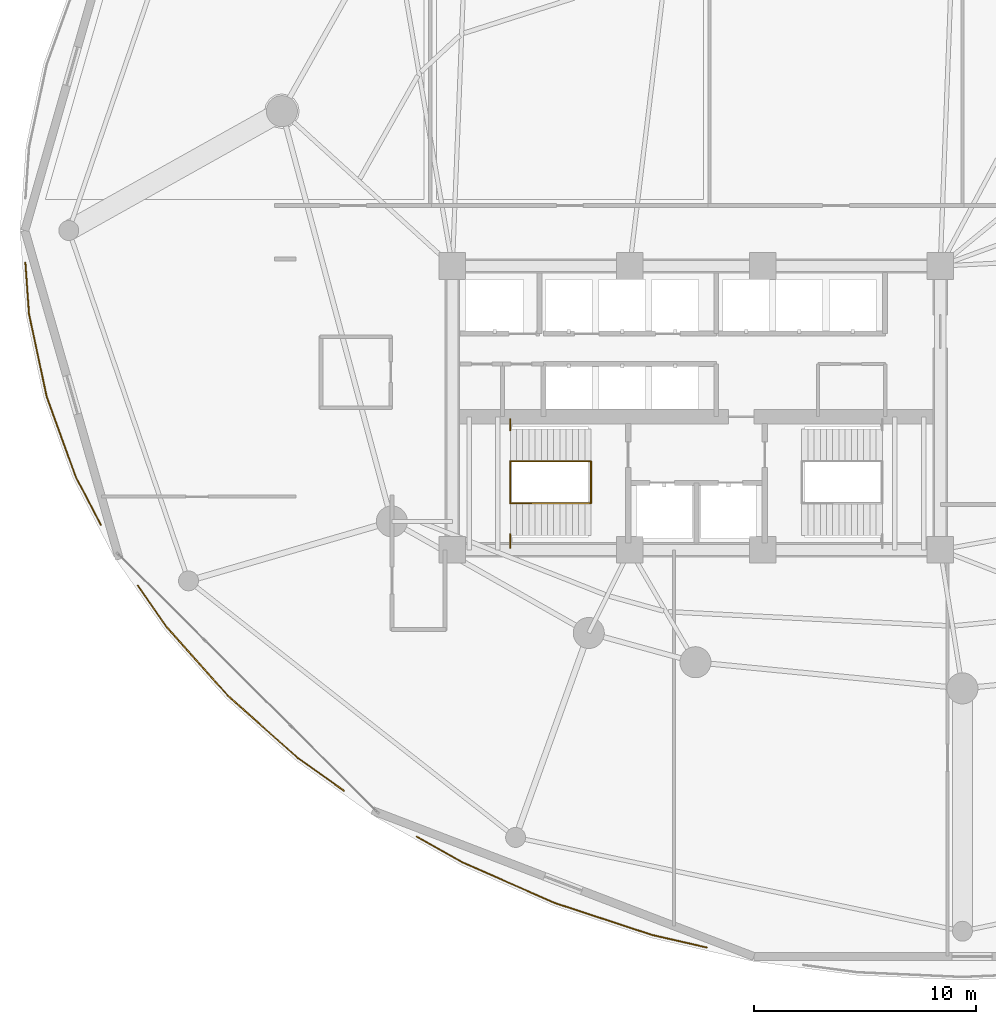
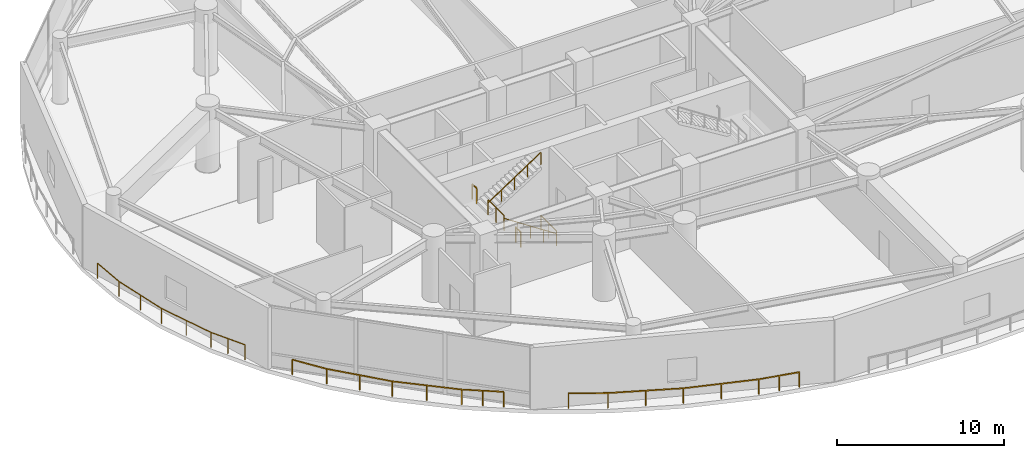
# One storey, part 34 of 36: 9 railings.
"""IFC4 building model written with IfcOpenShell, lengths in metres."""

from ifc_helpers import new_model, si_unit, direction, frame, origin, origin_2d, place, context, subcontext, project, spatial, rectangle, extrude, material, type_object, element, save


model = new_model("IFC4")

# Units and contexts
model_context = context("Model", 3, precision=1e-05, world=origin(), true_north=direction((0.0, 1.0)))
body_context = subcontext(model_context, "Body", "Model", "MODEL_VIEW")
ifc_project = project(units=[si_unit("LENGTHUNIT", "METRE"), si_unit("AREAUNIT", "SQUARE_METRE"), si_unit("VOLUMEUNIT", "CUBIC_METRE"), si_unit("PLANEANGLEUNIT", "RADIAN"), si_unit("MASSUNIT", "GRAM", prefix="KILO")], contexts=[model_context])

# Site, building, storey
site_placement = place(None, origin())
site = spatial("IfcSite", under=ifc_project, at=site_placement, CompositionType="ELEMENT")
building_placement = place(site_placement, origin())
building = spatial("IfcBuilding", under=site, at=building_placement, Name="Kazevale Care Tower and Concert Hall", CompositionType="ELEMENT")
storey_placement = place(building_placement, frame((0.0, 0.0, 14.39990234375)))
storey = spatial("IfcBuildingStorey", under=building, at=storey_placement, Name="L03", CompositionType="ELEMENT", Elevation=14.39990234375)

# Railings
ifc_material_1 = material(Name="Anodised Bronze Aluminium and Laminated Glass", Category="aluminium")
railing_type_1 = type_object("IfcRailingType", Name="Balcony and Terrace Balustrade 1120", PredefinedType="BALUSTRADE", material=ifc_material_1)
railing_1_placement = place(storey_placement, frame((6.135986328125, 24.738037109375, 0.0)))
element("IfcRailing", 1, at=railing_1_placement, inside=storey, type_object=railing_type_1, Name="rail:L03:perim:1", PredefinedType="BALUSTRADE", context=body_context, shape_type="SweptSolid", body=[
    extrude(rectangle(XDim=0.048095703125, YDim=0.048095703125, at=origin_2d()), frame((0.0, 0.0, 1.09619140625), z_axis=(-0.462140207553, 0.88680687219, 0.0), x_axis=(-0.88680687219, -0.462140207553, 0.0)), (0.0, 0.0, 1.0), 2.43017578125),
    extrude(rectangle(XDim=0.048095703125, YDim=0.048095703125, at=origin_2d()), frame((-1.123046875, 2.155029296875, 1.09619140625), z_axis=(-0.340410185576, 0.940277036599, 0.0), x_axis=(-0.940277036599, -0.340410185576, 0.0)), (0.0, 0.0, 1.0), 3.854248046875),
    extrude(rectangle(XDim=0.048095703125, YDim=0.048095703125, at=origin_2d()), frame((-2.43505859375, 5.779052734375, 1.09619140625), z_axis=(-0.20907738305, 0.977899099037, 0.0), x_axis=(-0.977899099037, -0.20907738305, 0.0)), (0.0, 0.0, 1.0), 3.802001953125),
    extrude(rectangle(XDim=0.048095703125, YDim=0.048095703125, at=origin_2d()), frame((-3.22998046875, 9.4970703125, 1.09619140625), z_axis=(-0.070459951237, 0.997514609052, 0.0), x_axis=(-0.997514609052, -0.070459951237, 0.0)), (0.0, 0.0, 1.0), 2.314697265625),
    extrude(rectangle(XDim=0.0419921875, YDim=0.0419921875, at=origin_2d()), origin(), (0.0, 0.0, 1.0), 1.072021484375),
    extrude(rectangle(XDim=0.0419921875, YDim=0.0419921875, at=origin_2d()), frame((-0.5615234375, 1.07763671875, 0.0)), (0.0, 0.0, 1.0), 1.072021484375),
    extrude(rectangle(XDim=0.0419921875, YDim=0.0419921875, at=origin_2d()), frame((-1.123046875, 2.155029296875, 0.0)), (0.0, 0.0, 1.0), 1.072021484375),
    extrude(rectangle(XDim=0.0419921875, YDim=0.0419921875, at=origin_2d()), frame((-1.779052734375, 3.967041015625, 0.0)), (0.0, 0.0, 1.0), 1.072021484375),
    extrude(rectangle(XDim=0.0419921875, YDim=0.0419921875, at=origin_2d()), frame((-2.43505859375, 5.779052734375, 0.0)), (0.0, 0.0, 1.0), 1.072021484375),
    extrude(rectangle(XDim=0.0419921875, YDim=0.0419921875, at=origin_2d()), frame((-2.83251953125, 7.63818359375, 0.0)), (0.0, 0.0, 1.0), 1.072021484375),
    extrude(rectangle(XDim=0.0419921875, YDim=0.0419921875, at=origin_2d()), frame((-3.22998046875, 9.4970703125, 0.0)), (0.0, 0.0, 1.0), 1.072021484375),
    extrude(rectangle(XDim=0.0419921875, YDim=0.0419921875, at=origin_2d()), frame((-3.39306640625, 11.805908203125, 0.0)), (0.0, 0.0, 1.0), 1.072021484375),
])
railing_2_placement = place(storey_placement, frame((17.10107421875, 12.740966796875, 0.0)))
element("IfcRailing", 2, at=railing_2_placement, inside=storey, type_object=railing_type_1, Name="rail:L03:perim:4", PredefinedType="BALUSTRADE", context=body_context, shape_type="SweptSolid", body=[
    extrude(rectangle(XDim=0.048095703125, YDim=0.048095703125, at=origin_2d()), frame((0.0, 0.0, 1.09619140625), z_axis=(-0.815188786096, 0.579195340989, 0.0), x_axis=(-0.579195340989, -0.815188786096, 0.0)), (0.0, 0.0, 1.0), 2.53466796875),
    extrude(rectangle(XDim=0.048095703125, YDim=0.048095703125, at=origin_2d()), frame((-2.066162109375, 1.468017578125, 1.09619140625), z_axis=(-0.746983011463, 0.664843124794, 0.0), x_axis=(-0.664843124794, -0.746983011463, 0.0)), (0.0, 0.0, 1.0), 4.2353515625),
    extrude(rectangle(XDim=0.048095703125, YDim=0.048095703125, at=origin_2d()), frame((-5.22998046875, 4.283935546875, 1.09619140625), z_axis=(-0.665728837253, 0.746193751816, 0.0), x_axis=(-0.746193751816, -0.665728837253, 0.0)), (0.0, 0.0, 1.0), 4.12646484375),
    extrude(rectangle(XDim=0.048095703125, YDim=0.048095703125, at=origin_2d()), frame((-7.97705078125, 7.363037109375, 1.09619140625), z_axis=(-0.570672394322, 0.821177823835, 0.0), x_axis=(-0.821177823835, -0.570672394322, 0.0)), (0.0, 0.0, 1.0), 2.299072265625),
    extrude(rectangle(XDim=0.0419921875, YDim=0.0419921875, at=origin_2d()), origin(), (0.0, 0.0, 1.0), 1.072021484375),
    extrude(rectangle(XDim=0.0419921875, YDim=0.0419921875, at=origin_2d()), frame((-1.033203125, 0.73388671875, 0.0)), (0.0, 0.0, 1.0), 1.072021484375),
    extrude(rectangle(XDim=0.0419921875, YDim=0.0419921875, at=origin_2d()), frame((-2.066162109375, 1.468017578125, 0.0)), (0.0, 0.0, 1.0), 1.072021484375),
    extrude(rectangle(XDim=0.0419921875, YDim=0.0419921875, at=origin_2d()), frame((-3.64794921875, 2.8759765625, 0.0)), (0.0, 0.0, 1.0), 1.072021484375),
    extrude(rectangle(XDim=0.0419921875, YDim=0.0419921875, at=origin_2d()), frame((-5.22998046875, 4.283935546875, 0.0)), (0.0, 0.0, 1.0), 1.072021484375),
    extrude(rectangle(XDim=0.0419921875, YDim=0.0419921875, at=origin_2d()), frame((-6.603515625, 5.823486328125, 0.0)), (0.0, 0.0, 1.0), 1.072021484375),
    extrude(rectangle(XDim=0.0419921875, YDim=0.0419921875, at=origin_2d()), frame((-7.97705078125, 7.363037109375, 0.0)), (0.0, 0.0, 1.0), 1.072021484375),
    extrude(rectangle(XDim=0.0419921875, YDim=0.0419921875, at=origin_2d()), frame((-9.2890625, 9.2509765625, 0.0)), (0.0, 0.0, 1.0), 1.072021484375),
])
railing_3_placement = place(storey_placement, frame((33.47509765625, 5.6650390625, 0.0)))
element("IfcRailing", 3, at=railing_3_placement, inside=storey, type_object=railing_type_1, Name="rail:L03:perim:5", PredefinedType="BALUSTRADE", context=body_context, shape_type="SweptSolid", body=[
    extrude(rectangle(XDim=0.048095703125, YDim=0.048095703125, at=origin_2d()), frame((0.0, 0.0, 1.09619140625), z_axis=(-0.974740171393, 0.223341886518, 0.0), x_axis=(-0.223341886518, -0.974740171393, 0.0)), (0.0, 0.0, 1.0), 2.538330078125),
    extrude(rectangle(XDim=0.048095703125, YDim=0.048095703125, at=origin_2d()), frame((-2.47412109375, 0.56689453125, 1.09619140625), z_axis=(-0.949817857606, 0.312803512405, 0.0), x_axis=(-0.312803512405, -0.949817857606, 0.0)), (0.0, 0.0, 1.0), 4.622802734375),
    extrude(rectangle(XDim=0.048095703125, YDim=0.048095703125, at=origin_2d()), frame((-6.864990234375, 2.012939453125, 1.09619140625), z_axis=(-0.915470269762, 0.402385617514, 0.0), x_axis=(-0.402385617514, -0.915470269762, 0.0)), (0.0, 0.0, 1.0), 4.543212890625),
    extrude(rectangle(XDim=0.048095703125, YDim=0.048095703125, at=origin_2d()), frame((-11.024169921875, 3.841064453125, 1.09619140625), z_axis=(-0.870864175029, 0.491523741696, 0.0), x_axis=(-0.491523741696, -0.870864175029, 0.0)), (0.0, 0.0, 1.0), 2.36767578125),
    extrude(rectangle(XDim=0.0419921875, YDim=0.0419921875, at=origin_2d()), origin(), (0.0, 0.0, 1.0), 1.072021484375),
    extrude(rectangle(XDim=0.0419921875, YDim=0.0419921875, at=origin_2d()), frame((-1.237060546875, 0.283447265625, 0.0)), (0.0, 0.0, 1.0), 1.072021484375),
    extrude(rectangle(XDim=0.0419921875, YDim=0.0419921875, at=origin_2d()), frame((-2.47412109375, 0.56689453125, 0.0)), (0.0, 0.0, 1.0), 1.072021484375),
    extrude(rectangle(XDim=0.0419921875, YDim=0.0419921875, at=origin_2d()), frame((-4.66943359375, 1.2900390625, 0.0)), (0.0, 0.0, 1.0), 1.072021484375),
    extrude(rectangle(XDim=0.0419921875, YDim=0.0419921875, at=origin_2d()), frame((-6.864990234375, 2.012939453125, 0.0)), (0.0, 0.0, 1.0), 1.072021484375),
    extrude(rectangle(XDim=0.0419921875, YDim=0.0419921875, at=origin_2d()), frame((-8.944580078125, 2.927001953125, 0.0)), (0.0, 0.0, 1.0), 1.072021484375),
    extrude(rectangle(XDim=0.0419921875, YDim=0.0419921875, at=origin_2d()), frame((-11.024169921875, 3.841064453125, 0.0)), (0.0, 0.0, 1.0), 1.072021484375),
    extrude(rectangle(XDim=0.0419921875, YDim=0.0419921875, at=origin_2d()), frame((-13.086181640625, 5.0048828125, 0.0)), (0.0, 0.0, 1.0), 1.072021484375),
])
ifc_material_2 = material(Name="Stainless Steel 316", Category="steel")
railing_type_2 = type_object("IfcRailingType", Name="Stair Pitch Handrail 920", PredefinedType="HANDRAIL", material=ifc_material_2)
railing_4_placement = place(storey_placement, frame((28.25, 25.699951171875, 0.0)))
element("IfcRailing", 4, at=railing_4_placement, inside=storey, type_object=railing_type_2, Name="stair:L03:ST1:hr1", PredefinedType="HANDRAIL", context=body_context, shape_type="SweptSolid", body=[
    extrude(rectangle(XDim=0.048095703125, YDim=0.048095703125, at=origin_2d()), frame((0.0, 0.0, 0.89599609375), z_axis=(-0.834839479206, 0.0, 0.550493454965), x_axis=(0.0, -1.0, 0.0)), (0.0, 0.0, 1.0), 4.360107421875),
    extrude(rectangle(XDim=0.0419921875, YDim=0.0419921875, at=origin_2d()), origin(), (0.0, 0.0, 1.0), 0.871826171875),
    extrude(rectangle(XDim=0.0419921875, YDim=0.0419921875, at=origin_2d()), frame((-0.909912109375, 0.0, 0.60009765625)), (0.0, 0.0, 1.0), 0.871826171875),
    extrude(rectangle(XDim=0.0419921875, YDim=0.0419921875, at=origin_2d()), frame((-1.81982421875, 0.0, 1.2001953125)), (0.0, 0.0, 1.0), 0.871826171875),
    extrude(rectangle(XDim=0.0419921875, YDim=0.0419921875, at=origin_2d()), frame((-2.72998046875, 0.0, 1.800048828125)), (0.0, 0.0, 1.0), 0.871826171875),
    extrude(rectangle(XDim=0.0419921875, YDim=0.0419921875, at=origin_2d()), frame((-3.639892578125, 0.0, 2.400146484375)), (0.0, 0.0, 1.0), 0.871826171875),
])
railing_5_placement = place(storey_placement, frame((24.610107421875, 27.60009765625, 2.400146484375)))
element("IfcRailing", 5, at=railing_5_placement, inside=storey, type_object=railing_type_2, Name="stair:L03:ST1:hr2", PredefinedType="HANDRAIL", context=body_context, shape_type="SweptSolid", body=[
    extrude(rectangle(XDim=0.048095703125, YDim=0.048095703125, at=origin_2d()), frame((0.0, 0.0, 0.89599609375), z_axis=(0.834865213223, 0.0, 0.550454426587), x_axis=(0.0, 1.0, 0.0)), (0.0, 0.0, 1.0), 4.35986328125),
    extrude(rectangle(XDim=0.0419921875, YDim=0.0419921875, at=origin_2d()), origin(), (0.0, 0.0, 1.0), 0.871826171875),
    extrude(rectangle(XDim=0.0419921875, YDim=0.0419921875, at=origin_2d()), frame((0.909912109375, 0.0, 0.60009765625)), (0.0, 0.0, 1.0), 0.871826171875),
    extrude(rectangle(XDim=0.0419921875, YDim=0.0419921875, at=origin_2d()), frame((1.81982421875, 0.0, 1.199951171875)), (0.0, 0.0, 1.0), 0.871826171875),
    extrude(rectangle(XDim=0.0419921875, YDim=0.0419921875, at=origin_2d()), frame((2.72998046875, 0.0, 1.7998046875)), (0.0, 0.0, 1.0), 0.871826171875),
    extrude(rectangle(XDim=0.0419921875, YDim=0.0419921875, at=origin_2d()), frame((3.639892578125, 0.0, 2.39990234375)), (0.0, 0.0, 1.0), 0.871826171875),
])
railing_type_3 = type_object("IfcRailingType", Name="Stair Well Guard Balustrade 1120", PredefinedType="BALUSTRADE", material=ifc_material_2)
railing_6_placement = place(storey_placement, frame((24.610107421875, 23.699951171875, 2.400146484375)))
element("IfcRailing", 6, at=railing_6_placement, inside=storey, type_object=railing_type_3, Name="stair:L03:ST1:grd_side1", PredefinedType="BALUSTRADE", context=body_context, shape_type="SweptSolid", body=[
    extrude(rectangle(XDim=0.048095703125, YDim=0.048095703125, at=origin_2d()), frame((0.0, 0.0, 1.09619140625), z_axis=(0.0, 1.0, 0.0), x_axis=(-1.0, 0.0, 0.0)), (0.0, 0.0, 1.0), 0.610107421875),
    extrude(rectangle(XDim=0.0419921875, YDim=0.0419921875, at=origin_2d()), origin(), (0.0, 0.0, 1.0), 1.072021484375),
    extrude(rectangle(XDim=0.0419921875, YDim=0.0419921875, at=origin_2d()), frame((0.0, 0.610107421875, 0.0)), (0.0, 0.0, 1.0), 1.072021484375),
])
railing_7_placement = place(storey_placement, frame((24.610107421875, 28.989990234375, 2.400146484375)))
element("IfcRailing", 7, at=railing_7_placement, inside=storey, type_object=railing_type_3, Name="stair:L03:ST1:grd_side2", PredefinedType="BALUSTRADE", context=body_context, shape_type="SweptSolid", body=[
    extrude(rectangle(XDim=0.048095703125, YDim=0.048095703125, at=origin_2d()), frame((0.0, 0.0, 1.09619140625), z_axis=(0.0, 1.0, 0.0), x_axis=(-1.0, 0.0, 0.0)), (0.0, 0.0, 1.0), 0.510009765625),
    extrude(rectangle(XDim=0.0419921875, YDim=0.0419921875, at=origin_2d()), origin(), (0.0, 0.0, 1.0), 1.072021484375),
    extrude(rectangle(XDim=0.0419921875, YDim=0.0419921875, at=origin_2d()), frame((0.0, 0.510009765625, 0.0)), (0.0, 0.0, 1.0), 1.072021484375),
])
for number, where, name in (
    (8, (24.610107421875, 25.699951171875, 2.400146484375), "stair:L03:ST1:grd_mid"),
    (9, (28.25, 25.699951171875, 0.0), "stair:L03:ST1:grd_flr"),
):
    element("IfcRailing", number, at=place(storey_placement, frame(where)), inside=storey, type_object=railing_type_3, Name=name, PredefinedType="BALUSTRADE", context=body_context, shape_type="SweptSolid", body=[
        extrude(rectangle(XDim=0.048095703125, YDim=0.048095703125, at=origin_2d()), frame((0.0, 0.0, 1.09619140625), z_axis=(0.0, 1.0, 0.0), x_axis=(-1.0, 0.0, 0.0)), (0.0, 0.0, 1.0), 1.900146484375),
        extrude(rectangle(XDim=0.0419921875, YDim=0.0419921875, at=origin_2d()), origin(), (0.0, 0.0, 1.0), 1.072021484375),
        extrude(rectangle(XDim=0.0419921875, YDim=0.0419921875, at=origin_2d()), frame((0.0, 0.9501953125, 0.0)), (0.0, 0.0, 1.0), 1.072021484375),
        extrude(rectangle(XDim=0.0419921875, YDim=0.0419921875, at=origin_2d()), frame((0.0, 1.900146484375, 0.0)), (0.0, 0.0, 1.0), 1.072021484375),
    ])

save(model, "model.ifc")
